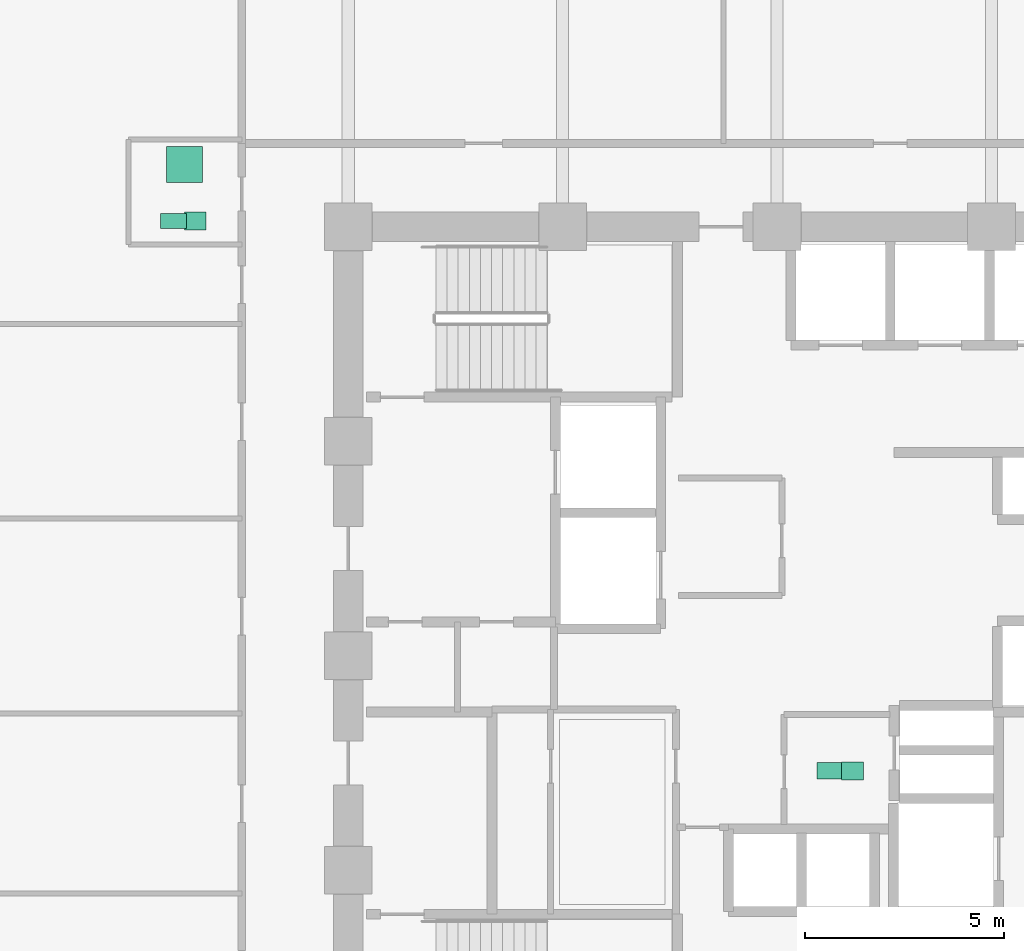
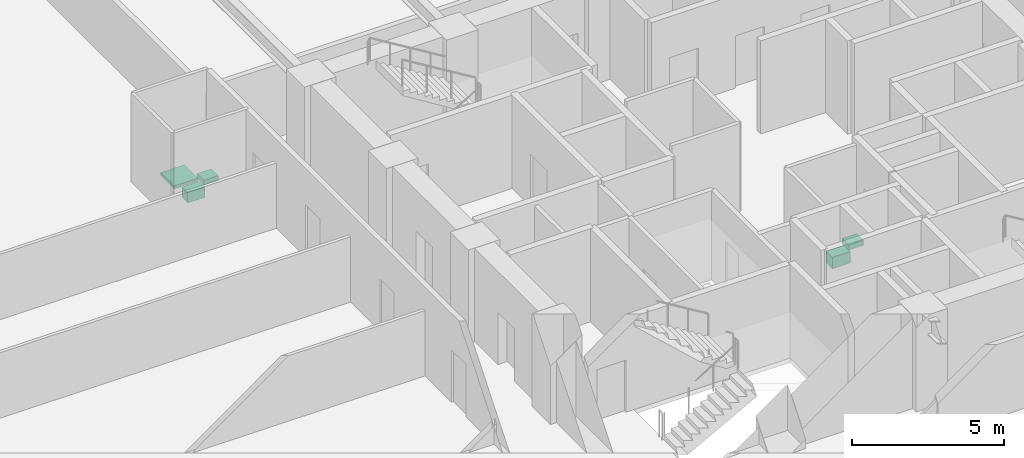
# One storey, part 25 of 25: 5 sanitary terminals.
"""IFC4 building model written with IfcOpenShell, lengths in metres."""

from ifc_helpers import new_model, si_unit, direction, frame, origin, origin_2d, place, context, subcontext, project, spatial, rectangle, extrude, material, type_object, element, save


model = new_model("IFC4")

# Units and contexts
model_context = context("Model", 3, precision=1e-05, world=origin(), true_north=direction((0.0, 1.0)))
body_context = subcontext(model_context, "Body", "Model", "MODEL_VIEW")
ifc_project = project(units=[si_unit("LENGTHUNIT", "METRE"), si_unit("AREAUNIT", "SQUARE_METRE"), si_unit("VOLUMEUNIT", "CUBIC_METRE"), si_unit("PLANEANGLEUNIT", "RADIAN"), si_unit("MASSUNIT", "GRAM", prefix="KILO")], contexts=[model_context])

# Site, building, storey
site_placement = place(None, origin())
site = spatial("IfcSite", under=ifc_project, at=site_placement, CompositionType="ELEMENT")
building_placement = place(site_placement, origin())
building = spatial("IfcBuilding", under=site, at=building_placement, Name="Surkhivell Harbour Commons", CompositionType="ELEMENT")
storey_placement = place(building_placement, frame((0.0, 0.0, 41.25)))
storey = spatial("IfcBuildingStorey", under=building, at=storey_placement, Name="L10", CompositionType="ELEMENT", Elevation=41.25)

# Sanitary terminals
ifc_material_1 = material(Name="Vitreous china washbasin", Category="other")
sanitary_terminal_type_1 = type_object("IfcSanitaryTerminalType", Name="SAN-BSN", PredefinedType="WASHHANDBASIN", material=ifc_material_1)
for number, where, z_axis, x_axis, name in (
    (1, (1.89990234375, -2.89990234375, 0.72021484375), (0.0, 0.0, 1.0), (1.0, 0.0, 0.0), "L10 Core Accessible WC Washbasin"),
    (2, (-14.64990234375, 10.949951171875, 0.72021484375), (0.0, 0.0, 1.0), (1.0, 0.0, 0.0), "L10 West Communal Bathroom WC Washbasin"),
):
    element("IfcSanitaryTerminal", number, at=place(storey_placement, frame(where, z_axis=z_axis, x_axis=x_axis)), inside=storey, type_object=sanitary_terminal_type_1, Name=name, PredefinedType="WASHHANDBASIN", context=body_context, shape_type="SweptSolid", body=[
        extrude(rectangle(XDim=0.550048828125, YDim=0.449951171875, at=origin_2d()), origin(), (0.0, 0.0, 1.0), 0.199951171875),
    ])
ifc_material_2 = material(Name="Glazed porcelain shower tray", Category="other")
sanitary_terminal_type_2 = type_object("IfcSanitaryTerminalType", Name="SAN-SHW", PredefinedType="SHOWER", material=ifc_material_2)
sanitary_terminal_1_placement = place(storey_placement, frame((-14.919921875, 12.3701171875, 0.0), z_axis=(0.0, 0.0, 1.0), x_axis=(1.0, 0.0, 0.0)))
element("IfcSanitaryTerminal", 3, at=sanitary_terminal_1_placement, inside=storey, type_object=sanitary_terminal_type_2, Name="L10 West Communal Shower Tray", PredefinedType="SHOWER", context=body_context, shape_type="SweptSolid", body=[
    extrude(rectangle(XDim=0.89990234375, YDim=0.89990234375, at=origin_2d()), origin(), (0.0, 0.0, 1.0), 0.1201171875),
])
ifc_material_3 = material(Name="Vitreous china sanitaryware", Category="other")
sanitary_terminal_type_3 = type_object("IfcSanitaryTerminalType", Name="SAN-WC-ACC", PredefinedType="TOILETPAN", material=ifc_material_3)
sanitary_terminal_2_placement = place(storey_placement, frame((1.35009765625, -2.89990234375, 0.169921875), z_axis=(0.0, 0.0, 1.0), x_axis=(1.0, 0.0, 0.0)))
element("IfcSanitaryTerminal", 4, at=sanitary_terminal_2_placement, inside=storey, type_object=sanitary_terminal_type_3, Name="L10 Core Accessible WC", PredefinedType="TOILETPAN", context=body_context, shape_type="SweptSolid", body=[
    extrude(rectangle(XDim=0.699951171875, YDim=0.419921875, at=origin_2d()), origin(), (0.0, 0.0, 1.0), 0.4599609375),
])
sanitary_terminal_type_4 = type_object("IfcSanitaryTerminalType", Name="SAN-WC-STD", PredefinedType="TOILETPAN", material=ifc_material_3)
sanitary_terminal_3_placement = place(storey_placement, frame((-15.199951171875, 10.949951171875, 0.18994140625), z_axis=(0.0, 0.0, 1.0), x_axis=(1.0, 0.0, 0.0)))
element("IfcSanitaryTerminal", 5, at=sanitary_terminal_3_placement, inside=storey, type_object=sanitary_terminal_type_4, Name="L10 West Communal Bathroom WC", PredefinedType="TOILETPAN", context=body_context, shape_type="SweptSolid", body=[
    extrude(rectangle(XDim=0.64990234375, YDim=0.3798828125, at=origin_2d()), origin(), (0.0, 0.0, 1.0), 0.419921875),
])

save(model, "model.ifc")
